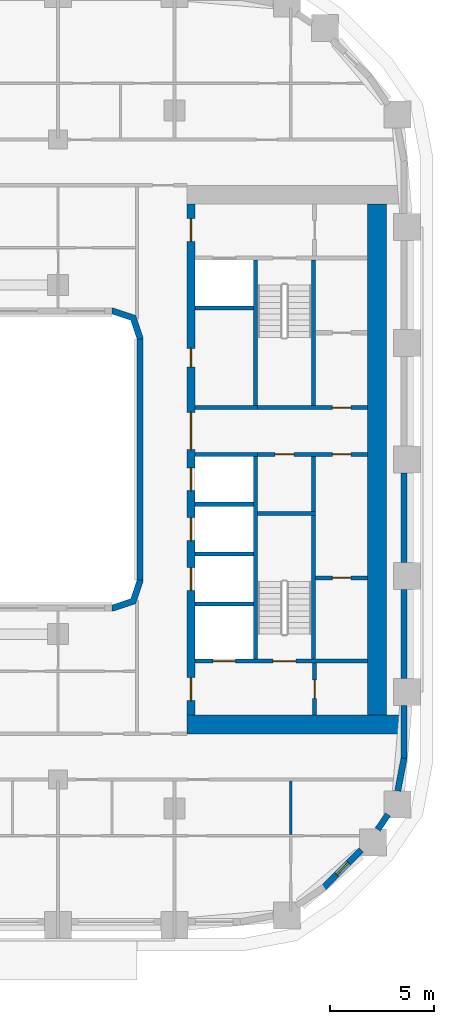
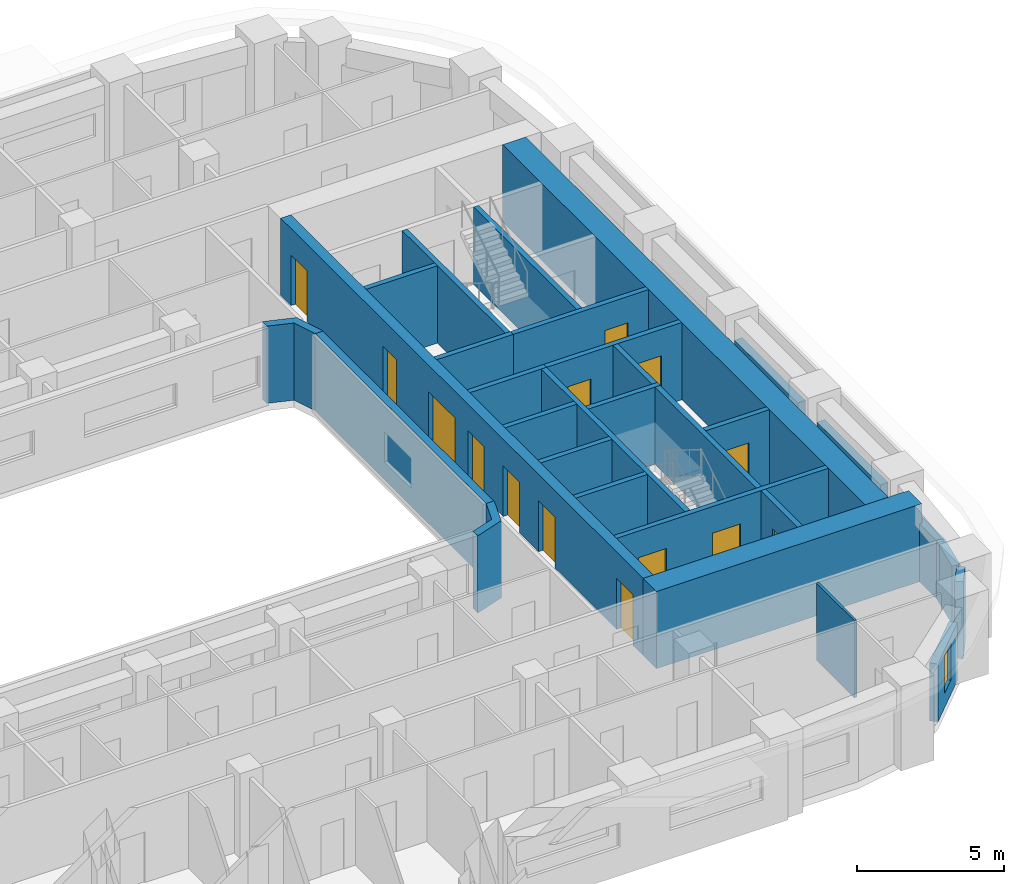
# One storey, part 6 of 21: 30 walls, 14 doors, 1 window, 15 openings.
"""IFC4 building model written with IfcOpenShell, lengths in metres."""

from ifc_helpers import new_model, si_unit, direction, frame, frame_2d, origin, place, context, subcontext, project, spatial, polyline, rectangle, outline, extrude, material, layer, layer_set, type_object, element, fill, save


model = new_model("IFC4")

# Units and contexts
model_context = context("Model", 3, precision=1e-05, world=origin(), true_north=direction((0.0, 1.0)))
body_context = subcontext(model_context, "Body", "Model", "MODEL_VIEW")
ifc_project = project(units=[si_unit("LENGTHUNIT", "METRE"), si_unit("AREAUNIT", "SQUARE_METRE"), si_unit("VOLUMEUNIT", "CUBIC_METRE"), si_unit("PLANEANGLEUNIT", "RADIAN"), si_unit("MASSUNIT", "GRAM", prefix="KILO")], contexts=[model_context])

# Site, building, storey
site_placement = place(None, origin())
site = spatial("IfcSite", under=ifc_project, at=site_placement, CompositionType="ELEMENT")
building_placement = place(site_placement, origin())
building = spatial("IfcBuilding", under=site, at=building_placement, Name="Kiln Ring Residences", CompositionType="ELEMENT")
storey_placement = place(building_placement, frame((0.0, 0.0, 93.800048828125)))
storey = spatial("IfcBuildingStorey", under=building, at=storey_placement, Name="L23", CompositionType="ELEMENT", Elevation=93.800048828125)

# Wall
ifc_material_1 = material(Name="Gypsum board on steel studs", Category="steel")
ifc_layer_1 = layer(ifc_material_1, 0.199951171875)
ifc_layer_set_1 = layer_set([ifc_layer_1], Name="CORE-PARTITION-200")
wall_type_1 = type_object("IfcWallType", Name="CORE-PARTITION-200", PredefinedType="PARTITIONING", material=ifc_layer_set_1)
wall_1_placement = place(storey_placement, frame((23.5, -2.5, 0.0), z_axis=(0.0, 0.0, 1.0), x_axis=(0.0, 1.0, 0.0)))
element("IfcWall", 1, at=wall_1_placement, inside=storey, type_object=wall_type_1, Name="Core partition east L23 1", PredefinedType="PARTITIONING", context=body_context, shape_type="SweptSolid", body=[
    extrude(rectangle(XDim=2.64990234375, YDim=0.199951171875, at=frame_2d((1.324951171875, 0.0))), origin(), (0.0, 0.0, 1.0), 3.199951171875),
])

# Wall, openings, doors
wall_2_placement = place(storey_placement, frame((20.800048828125, 0.25, 0.0), z_axis=(0.0, 0.0, 1.0), x_axis=(1.0, 0.0, 0.0)))
wall_2 = element("IfcWall", 2, at=wall_2_placement, inside=storey, type_object=wall_type_1, Name="Core partition east L23 2", PredefinedType="PARTITIONING", context=body_context, shape_type="SweptSolid", body=[
    extrude(rectangle(XDim=5.300048828125, YDim=0.199951171875, at=frame_2d((2.64990234375, 0.0))), origin(), (0.0, 0.0, 1.0), 3.199951171875),
])
opening_1_placement = place(wall_2_placement, frame((0.85009765625, 0.0, 0.0)))
opening_1 = element("IfcOpeningElement", 3, at=opening_1_placement, cuts=wall_2, Name="Opening L23-CE14", PredefinedType="OPENING", context=body_context, shape_type="SweptSolid", body=[
    extrude(rectangle(XDim=0.89990234375, YDim=2.10009765625, at=frame_2d((0.449951171875, 1.050048828125))), frame((0.0, 0.10986328125, 0.0), z_axis=(0.0, -1.0, 0.0), x_axis=(1.0, 0.0, 0.0)), (0.0, 0.0, 1.0), 0.219970703125),
])
opening_2_placement = place(wall_2_placement, frame((3.60009765625, 0.0, 0.0)))
opening_2 = element("IfcOpeningElement", 4, at=opening_2_placement, cuts=wall_2, Name="Opening L23-CE16", PredefinedType="OPENING", context=body_context, shape_type="SweptSolid", body=[
    extrude(rectangle(XDim=0.89990234375, YDim=2.10009765625, at=frame_2d((0.449951171875, 1.050048828125))), frame((0.0, 0.10986328125, 0.0), z_axis=(0.0, -1.0, 0.0), x_axis=(1.0, 0.0, 0.0)), (0.0, 0.0, 1.0), 0.219970703125),
])
ifc_material_2 = material(Name="Steel door leaf", Category="steel")
door_type_1 = type_object("IfcDoorType", Name="CORE-DOOR-ROOM", OperationType="SINGLE_SWING_LEFT", PredefinedType="DOOR", material=ifc_material_2)
door_1_placement = place(opening_1_placement, origin())
door_1 = element("IfcDoor", 5, at=door_1_placement, inside=storey, type_object=door_type_1, Name="Housekeeping store L23-CE14", OperationType="SINGLE_SWING_LEFT", OverallHeight=2.10009765625, OverallWidth=0.89990234375, PredefinedType="DOOR", context=body_context, shape_type="SweptSolid", body=[
    extrude(rectangle(XDim=0.89990234375, YDim=2.10009765625, at=frame_2d((0.449951171875, 1.050048828125))), frame((0.0, 0.02490234375, 0.0), z_axis=(0.0, -1.0, 0.0), x_axis=(1.0, 0.0, 0.0)), (0.0, 0.0, 1.0), 0.050048828125),
])
fill(opening_1, door_1)
door_2_placement = place(opening_2_placement, origin())
door_2 = element("IfcDoor", 6, at=door_2_placement, inside=storey, type_object=door_type_1, Name="Battery room L23-CE16", OperationType="SINGLE_SWING_LEFT", OverallHeight=2.10009765625, OverallWidth=0.89990234375, PredefinedType="DOOR", context=body_context, shape_type="SweptSolid", body=[
    extrude(rectangle(XDim=0.89990234375, YDim=2.10009765625, at=frame_2d((0.449951171875, 1.050048828125))), frame((0.0, 0.02490234375, 0.0), z_axis=(0.0, -1.0, 0.0), x_axis=(1.0, 0.0, 0.0)), (0.0, 0.0, 1.0), 0.050048828125),
])
fill(opening_2, door_2)

# Wall, opening, door
wall_3_placement = place(storey_placement, frame((23.550048828125, -12.300048828125, 0.0), z_axis=(0.0, 0.0, 1.0), x_axis=(0.0, 1.0, 0.0)))
wall_3 = element("IfcWall", 7, at=wall_3_placement, inside=storey, type_object=wall_type_1, Name="Core partition east L23 4", PredefinedType="PARTITIONING", context=body_context, shape_type="SweptSolid", body=[
    extrude(rectangle(XDim=2.5, YDim=0.199951171875, at=frame_2d((1.25, 0.0))), origin(), (0.0, 0.0, 1.0), 3.199951171875),
])
opening_3_placement = place(wall_3_placement, frame((0.800048828125, 0.0, 0.0)))
opening_3 = element("IfcOpeningElement", 8, at=opening_3_placement, cuts=wall_3, Name="Opening L23-CE10", PredefinedType="OPENING", context=body_context, shape_type="SweptSolid", body=[
    extrude(rectangle(XDim=0.89990234375, YDim=2.10009765625, at=frame_2d((0.449951171875, 1.050048828125))), frame((0.0, 0.10986328125, 0.0), z_axis=(0.0, -1.0, 0.0), x_axis=(1.0, 0.0, 0.0)), (0.0, 0.0, 1.0), 0.219970703125),
])
door_3_placement = place(opening_3_placement, origin())
door_3 = element("IfcDoor", 9, at=door_3_placement, inside=storey, type_object=door_type_1, Name="Store L23-CE10", OperationType="SINGLE_SWING_LEFT", OverallHeight=2.10009765625, OverallWidth=0.89990234375, PredefinedType="DOOR", context=body_context, shape_type="SweptSolid", body=[
    extrude(rectangle(XDim=0.89990234375, YDim=2.10009765625, at=frame_2d((0.449951171875, 1.050048828125))), frame((0.0, 0.02490234375, 0.0), z_axis=(0.0, -1.0, 0.0), x_axis=(1.0, 0.0, 0.0)), (0.0, 0.0, 1.0), 0.050048828125),
])
fill(opening_3, door_3)

wall_4_placement = place(storey_placement, frame((23.60009765625, -5.699951171875, 0.0), z_axis=(0.0, 0.0, 1.0), x_axis=(1.0, 0.0, 0.0)))
wall_4 = element("IfcWall", 10, at=wall_4_placement, inside=storey, type_object=wall_type_1, Name="Core partition east L23 5", PredefinedType="PARTITIONING", context=body_context, shape_type="SweptSolid", body=[
    extrude(rectangle(XDim=2.5, YDim=0.199951171875, at=frame_2d((1.25, 0.0))), origin(), (0.0, 0.0, 1.0), 3.199951171875),
])
opening_4_placement = place(wall_4_placement, frame((0.800048828125, 0.0, 0.0)))
opening_4 = element("IfcOpeningElement", 11, at=opening_4_placement, cuts=wall_4, Name="Opening L23-CE15", PredefinedType="OPENING", context=body_context, shape_type="SweptSolid", body=[
    extrude(rectangle(XDim=0.89990234375, YDim=2.10009765625, at=frame_2d((0.449951171875, 1.050048828125))), frame((0.0, 0.10986328125, 0.0), z_axis=(0.0, -1.0, 0.0), x_axis=(1.0, 0.0, 0.0)), (0.0, 0.0, 1.0), 0.219970703125),
])
door_4_placement = place(opening_4_placement, origin())
door_4 = element("IfcDoor", 12, at=door_4_placement, inside=storey, type_object=door_type_1, Name="Battery room L23-CE15", OperationType="SINGLE_SWING_LEFT", OverallHeight=2.10009765625, OverallWidth=0.89990234375, PredefinedType="DOOR", context=body_context, shape_type="SweptSolid", body=[
    extrude(rectangle(XDim=0.89990234375, YDim=2.10009765625, at=frame_2d((0.449951171875, 1.050048828125))), frame((0.0, 0.02490234375, 0.0), z_axis=(0.0, -1.0, 0.0), x_axis=(1.0, 0.0, 0.0)), (0.0, 0.0, 1.0), 0.050048828125),
])
fill(opening_4, door_4)

# Walls
ifc_material_3 = material(Name="Gypsum shaft wall system")
ifc_layer_2 = layer(ifc_material_3, 0.199951171875)
ifc_layer_set_2 = layer_set([ifc_layer_2], Name="CORE-SHAFT-WALL-200")
wall_type_2 = type_object("IfcWallType", Name="CORE-SHAFT-WALL-200", PredefinedType="PARTITIONING", material=ifc_layer_set_2)
for number, where, z_axis, x_axis, name in (
    (13, (17.800048828125, -6.949951171875, 0.0), (0.0, 0.0, 1.0), (1.0, 0.0, 0.0), "Core partition east L23 7"),
    (14, (17.800048828125, -4.550048828125, 0.0), (0.0, 0.0, 1.0), (1.0, 0.0, 0.0), "Core partition east L23 8"),
    (15, (17.800048828125, -2.14990234375, 0.0), (0.0, 0.0, 1.0), (1.0, 0.0, 0.0), "Core partition east L23 9"),
):
    element("IfcWall", number, at=place(storey_placement, frame(where, z_axis=z_axis, x_axis=x_axis)), inside=storey, type_object=wall_type_2, Name=name, PredefinedType="PARTITIONING", context=body_context, shape_type="SweptSolid", body=[
        extrude(rectangle(XDim=2.800048828125, YDim=0.199951171875, at=frame_2d((1.39990234375, 0.0))), origin(), (0.0, 0.0, 1.0), 3.199951171875),
    ])
for number, where, z_axis, x_axis, name in (
    (16, (17.800048828125, 0.25, 0.0), (0.0, 0.0, 1.0), (1.0, 0.0, 0.0), "Core partition east L23 10"),
    (17, (17.800048828125, 2.5, 0.0), (0.0, 0.0, 1.0), (1.0, 0.0, 0.0), "Core partition east L23 11"),
):
    element("IfcWall", number, at=place(storey_placement, frame(where, z_axis=z_axis, x_axis=x_axis)), inside=storey, type_object=wall_type_2, Name=name, PredefinedType="PARTITIONING", context=body_context, shape_type="SweptSolid", body=[
        extrude(rectangle(XDim=3.0, YDim=0.199951171875, at=frame_2d((1.5, 0.0))), origin(), (0.0, 0.0, 1.0), 3.199951171875),
    ])
wall_5_placement = place(storey_placement, frame((17.800048828125, 7.300048828125, 0.0), z_axis=(0.0, 0.0, 1.0), x_axis=(1.0, 0.0, 0.0)))
element("IfcWall", 18, at=wall_5_placement, inside=storey, type_object=wall_type_2, Name="Core partition east L23 12", PredefinedType="PARTITIONING", context=body_context, shape_type="SweptSolid", body=[
    extrude(rectangle(XDim=2.800048828125, YDim=0.199951171875, at=frame_2d((1.39990234375, 0.0))), origin(), (0.0, 0.0, 1.0), 3.199951171875),
])
ifc_material_4 = material(Name="Concrete C40/50", Category="concrete")
ifc_layer_3 = layer(ifc_material_4, 0.199951171875)
ifc_layer_set_3 = layer_set([ifc_layer_3], Name="CORE-WALL-RC200")
wall_type_3 = type_object("IfcWallType", Name="CORE-WALL-RC200", PredefinedType="SHEAR", material=ifc_layer_set_3)
wall_6_placement = place(storey_placement, frame((20.699951171875, 2.60009765625, 0.0), z_axis=(0.0, 0.0, 1.0), x_axis=(0.0, 1.0, 0.0)))
element("IfcWall", 19, at=wall_6_placement, inside=storey, type_object=wall_type_3, Name="Core wall east L23 1", PredefinedType="SHEAR", context=body_context, shape_type="SweptSolid", body=[
    extrude(rectangle(XDim=7.0, YDim=0.199951171875, at=frame_2d((3.5, 0.0))), origin(), (0.0, 0.0, 1.0), 3.199951171875),
])
wall_7_placement = place(storey_placement, frame((20.699951171875, -9.60009765625, 0.0), z_axis=(0.0, 0.0, 1.0), x_axis=(0.0, 1.0, 0.0)))
element("IfcWall", 20, at=wall_7_placement, inside=storey, type_object=wall_type_3, Name="Core wall east L23 2", PredefinedType="SHEAR", context=body_context, shape_type="SweptSolid", body=[
    extrude(rectangle(XDim=9.75, YDim=0.199951171875, at=frame_2d((4.875, 0.0))), origin(), (0.0, 0.0, 1.0), 3.199951171875),
])

# Wall, opening, door
wall_8_placement = place(storey_placement, frame((20.800048828125, 2.5, 0.0), z_axis=(0.0, 0.0, 1.0), x_axis=(1.0, 0.0, 0.0)))
wall_8 = element("IfcWall", 21, at=wall_8_placement, inside=storey, type_object=wall_type_3, Name="Core wall east L23 3", PredefinedType="SHEAR", context=body_context, shape_type="SweptSolid", body=[
    extrude(rectangle(XDim=5.300048828125, YDim=0.199951171875, at=frame_2d((2.64990234375, 0.0))), origin(), (0.0, 0.0, 1.0), 3.199951171875),
])
opening_5_placement = place(wall_8_placement, frame((3.60009765625, 0.0, 0.0)))
opening_5 = element("IfcOpeningElement", 22, at=opening_5_placement, cuts=wall_8, Name="Opening L23-CE18", PredefinedType="OPENING", context=body_context, shape_type="SweptSolid", body=[
    extrude(rectangle(XDim=0.89990234375, YDim=2.10009765625, at=frame_2d((0.449951171875, 1.050048828125))), frame((0.0, 0.10986328125, 0.0), z_axis=(0.0, -1.0, 0.0), x_axis=(1.0, 0.0, 0.0)), (0.0, 0.0, 1.0), 0.219970703125),
])
door_5_placement = place(opening_5_placement, origin())
door_5 = element("IfcDoor", 23, at=door_5_placement, inside=storey, type_object=door_type_1, Name="Comms room L23-CE18", OperationType="SINGLE_SWING_RIGHT", OverallHeight=2.10009765625, OverallWidth=0.89990234375, PredefinedType="DOOR", context=body_context, shape_type="SweptSolid", body=[
    extrude(rectangle(XDim=0.89990234375, YDim=2.10009765625, at=frame_2d((0.449951171875, 1.050048828125))), frame((0.0, 0.02490234375, 0.0), z_axis=(0.0, -1.0, 0.0), x_axis=(1.0, 0.0, 0.0)), (0.0, 0.0, 1.0), 0.050048828125),
])
fill(opening_5, door_5)

# Wall, openings, doors
wall_9_placement = place(storey_placement, frame((17.800048828125, -9.699951171875, 0.0), z_axis=(0.0, 0.0, 1.0), x_axis=(1.0, 0.0, 0.0)))
wall_9 = element("IfcWall", 24, at=wall_9_placement, inside=storey, type_object=wall_type_3, Name="Core wall east L23 8", PredefinedType="SHEAR", context=body_context, shape_type="SweptSolid", body=[
    extrude(rectangle(XDim=8.300048828125, YDim=0.199951171875, at=frame_2d((4.14990234375, 0.0))), origin(), (0.0, 0.0, 1.0), 3.199951171875),
])
opening_6_placement = place(wall_9_placement, frame((0.85009765625, 0.0, 0.0)))
opening_6 = element("IfcOpeningElement", 25, at=opening_6_placement, cuts=wall_9, Name="Opening L23-CE01", PredefinedType="OPENING", context=body_context, shape_type="SweptSolid", body=[
    extrude(rectangle(XDim=1.10009765625, YDim=2.10009765625, at=frame_2d((0.550048828125, 1.050048828125))), frame((0.0, 0.10986328125, 0.0), z_axis=(0.0, -1.0, 0.0), x_axis=(1.0, 0.0, 0.0)), (0.0, 0.0, 1.0), 0.219970703125),
])
opening_7_placement = place(wall_9_placement, frame((3.75, 0.0, 0.0)))
opening_7 = element("IfcOpeningElement", 26, at=opening_7_placement, cuts=wall_9, Name="Opening L23-CE12", PredefinedType="OPENING", context=body_context, shape_type="SweptSolid", body=[
    extrude(rectangle(XDim=1.10009765625, YDim=2.10009765625, at=frame_2d((0.550048828125, 1.050048828125))), frame((0.0, 0.10986328125, 0.0), z_axis=(0.0, -1.0, 0.0), x_axis=(1.0, 0.0, 0.0)), (0.0, 0.0, 1.0), 0.219970703125),
])
ifc_material_5 = material(Name="Steel door leaf", Category="steel")
door_type_2 = type_object("IfcDoorType", Name="CORE-DOOR-LD", OperationType="DOUBLE_DOOR_SLIDING", PredefinedType="DOOR", material=ifc_material_5)
door_6_placement = place(opening_6_placement, origin())
door_6 = element("IfcDoor", 27, at=door_6_placement, inside=storey, type_object=door_type_2, Name="LD E-SV L23-CE01", OperationType="DOUBLE_DOOR_SLIDING", OverallHeight=2.10009765625, OverallWidth=1.10009765625, PredefinedType="DOOR", context=body_context, shape_type="SweptSolid", body=[
    extrude(rectangle(XDim=1.10009765625, YDim=2.10009765625, at=frame_2d((0.550048828125, 1.050048828125))), frame((0.0, 0.02490234375, 0.0), z_axis=(0.0, -1.0, 0.0), x_axis=(1.0, 0.0, 0.0)), (0.0, 0.0, 1.0), 0.050048828125),
])
fill(opening_6, door_6)
ifc_material_6 = material(Name="Steel door leaf", Category="steel")
door_type_3 = type_object("IfcDoorType", Name="CORE-DOOR-STAIR", OperationType="SINGLE_SWING_LEFT", PredefinedType="DOOR", material=ifc_material_6)
door_7_placement = place(opening_7_placement, origin())
door_7 = element("IfcDoor", 28, at=door_7_placement, inside=storey, type_object=door_type_3, Name="Stair E-STS L23-CE12", OperationType="SINGLE_SWING_RIGHT", OverallHeight=2.10009765625, OverallWidth=1.10009765625, PredefinedType="DOOR", context=body_context, shape_type="SweptSolid", body=[
    extrude(rectangle(XDim=1.10009765625, YDim=2.10009765625, at=frame_2d((0.550048828125, 1.050048828125))), frame((0.0, 0.02490234375, 0.0), z_axis=(0.0, -1.0, 0.0), x_axis=(1.0, 0.0, 0.0)), (0.0, 0.0, 1.0), 0.050048828125),
])
fill(opening_7, door_7)

# Walls
wall_10_placement = place(storey_placement, frame((23.5, 2.60009765625, 0.0), z_axis=(0.0, 0.0, 1.0), x_axis=(0.0, 1.0, 0.0)))
element("IfcWall", 29, at=wall_10_placement, inside=storey, type_object=wall_type_3, Name="Core wall east L23 10", PredefinedType="SHEAR", context=body_context, shape_type="SweptSolid", body=[
    extrude(rectangle(XDim=7.0, YDim=0.199951171875, at=frame_2d((3.5, 0.0))), origin(), (0.0, 0.0, 1.0), 3.199951171875),
])
wall_11_placement = place(storey_placement, frame((23.5, -9.60009765625, 0.0), z_axis=(0.0, 0.0, 1.0), x_axis=(0.0, 1.0, 0.0)))
element("IfcWall", 30, at=wall_11_placement, inside=storey, type_object=wall_type_3, Name="Core wall east L23 11", PredefinedType="SHEAR", context=body_context, shape_type="SweptSolid", body=[
    extrude(rectangle(XDim=6.900146484375, YDim=0.199951171875, at=frame_2d((3.4501953125, 0.0))), origin(), (0.0, 0.0, 1.0), 3.199951171875),
])
wall_12_placement = place(storey_placement, frame((20.800048828125, -2.60009765625, 0.0), z_axis=(0.0, 0.0, 1.0), x_axis=(1.0, 0.0, 0.0)))
element("IfcWall", 31, at=wall_12_placement, inside=storey, type_object=wall_type_3, Name="Core wall east L23 12", PredefinedType="SHEAR", context=body_context, shape_type="SweptSolid", body=[
    extrude(rectangle(XDim=2.800048828125, YDim=0.199951171875, at=frame_2d((1.39990234375, 0.0))), origin(), (0.0, 0.0, 1.0), 3.199951171875),
])

# Wall, openings, doors
ifc_material_7 = material(Name="Concrete C60/75", Category="concrete")
ifc_layer_4 = layer(ifc_material_7, 0.39990234375)
ifc_layer_set_4 = layer_set([ifc_layer_4], Name="CORE-WALL-RC400")
wall_type_4 = type_object("IfcWallType", Name="CORE-WALL-RC400", PredefinedType="SHEAR", material=ifc_layer_set_4)
wall_13_placement = place(storey_placement, frame((17.60009765625, -12.300048828125, 0.0), z_axis=(0.0, 0.0, 1.0), x_axis=(0.0, 1.0, 0.0)))
wall_13 = element("IfcWall", 32, at=wall_13_placement, inside=storey, type_object=wall_type_4, Name="Core wall east L23 6", PredefinedType="SHEAR", context=body_context, shape_type="SweptSolid", body=[
    extrude(rectangle(XDim=24.60009765625, YDim=0.39990234375, at=frame_2d((12.300048828125, 0.0))), origin(), (0.0, 0.0, 1.0), 3.199951171875),
])
opening_8_placement = place(wall_13_placement, frame((6.0, 0.0, 0.0)))
opening_8 = element("IfcOpeningElement", 33, at=opening_8_placement, cuts=wall_13, Name="Opening L23-CE02", PredefinedType="OPENING", context=body_context, shape_type="SweptSolid", body=[
    extrude(rectangle(XDim=1.10009765625, YDim=2.10009765625, at=frame_2d((0.550048828125, 1.050048828125))), frame((0.0, 0.2099609375, 0.0), z_axis=(0.0, -1.0, 0.0), x_axis=(1.0, 0.0, 0.0)), (0.0, 0.0, 1.0), 0.419921875),
])
opening_9_placement = place(wall_13_placement, frame((8.39990234375, 0.0, 0.0)))
opening_9 = element("IfcOpeningElement", 34, at=opening_9_placement, cuts=wall_13, Name="Opening L23-CE03", PredefinedType="OPENING", context=body_context, shape_type="SweptSolid", body=[
    extrude(rectangle(XDim=1.10009765625, YDim=2.10009765625, at=frame_2d((0.550048828125, 1.050048828125))), frame((0.0, 0.2099609375, 0.0), z_axis=(0.0, -1.0, 0.0), x_axis=(1.0, 0.0, 0.0)), (0.0, 0.0, 1.0), 0.419921875),
])
opening_10_placement = place(wall_13_placement, frame((10.800048828125, 0.0, 0.0)))
opening_10 = element("IfcOpeningElement", 35, at=opening_10_placement, cuts=wall_13, Name="Opening L23-CE04", PredefinedType="OPENING", context=body_context, shape_type="SweptSolid", body=[
    extrude(rectangle(XDim=1.10009765625, YDim=2.10009765625, at=frame_2d((0.550048828125, 1.050048828125))), frame((0.0, 0.2099609375, 0.0), z_axis=(0.0, -1.0, 0.0), x_axis=(1.0, 0.0, 0.0)), (0.0, 0.0, 1.0), 0.419921875),
])
opening_11_placement = place(wall_13_placement, frame((16.75, 0.0, 0.0)))
opening_11 = element("IfcOpeningElement", 36, at=opening_11_placement, cuts=wall_13, Name="Opening L23-CE05", PredefinedType="OPENING", context=body_context, shape_type="SweptSolid", body=[
    extrude(rectangle(XDim=0.89990234375, YDim=2.10009765625, at=frame_2d((0.449951171875, 1.050048828125))), frame((0.0, 0.2099609375, 0.0), z_axis=(0.0, -1.0, 0.0), x_axis=(1.0, 0.0, 0.0)), (0.0, 0.0, 1.0), 0.419921875),
])
opening_12_placement = place(wall_13_placement, frame((22.800048828125, 0.0, 0.0)))
opening_12 = element("IfcOpeningElement", 37, at=opening_12_placement, cuts=wall_13, Name="Opening L23-CE07", PredefinedType="OPENING", context=body_context, shape_type="SweptSolid", body=[
    extrude(rectangle(XDim=1.10009765625, YDim=2.10009765625, at=frame_2d((0.550048828125, 1.050048828125))), frame((0.0, 0.2099609375, 0.0), z_axis=(0.0, -1.0, 0.0), x_axis=(1.0, 0.0, 0.0)), (0.0, 0.0, 1.0), 0.419921875),
])
opening_13_placement = place(wall_13_placement, frame((0.699951171875, 0.0, 0.0)))
opening_13 = element("IfcOpeningElement", 38, at=opening_13_placement, cuts=wall_13, Name="Opening L23-CE08", PredefinedType="OPENING", context=body_context, shape_type="SweptSolid", body=[
    extrude(rectangle(XDim=1.10009765625, YDim=2.10009765625, at=frame_2d((0.550048828125, 1.050048828125))), frame((0.0, 0.2099609375, 0.0), z_axis=(0.0, -1.0, 0.0), x_axis=(1.0, 0.0, 0.0)), (0.0, 0.0, 1.0), 0.419921875),
])
opening_14_placement = place(wall_13_placement, frame((12.77490234375, 0.0, 0.0)))
opening_14 = element("IfcOpeningElement", 39, at=opening_14_placement, cuts=wall_13, Name="Opening L23-CE13", PredefinedType="OPENING", context=body_context, shape_type="SweptSolid", body=[
    extrude(rectangle(XDim=1.800048828125, YDim=2.10009765625, at=frame_2d((0.89990234375, 1.050048828125))), frame((0.0, 0.2099609375, 0.0), z_axis=(0.0, -1.0, 0.0), x_axis=(1.0, 0.0, 0.0)), (0.0, 0.0, 1.0), 0.419921875),
])
door_8_placement = place(opening_8_placement, origin())
door_8 = element("IfcDoor", 40, at=door_8_placement, inside=storey, type_object=door_type_2, Name="LD E-L1 L23-CE02", OperationType="DOUBLE_DOOR_SLIDING", OverallHeight=2.10009765625, OverallWidth=1.10009765625, PredefinedType="DOOR", context=body_context, shape_type="SweptSolid", body=[
    extrude(rectangle(XDim=1.10009765625, YDim=2.10009765625, at=frame_2d((0.550048828125, 1.050048828125))), frame((0.0, 0.02490234375, 0.0), z_axis=(0.0, -1.0, 0.0), x_axis=(1.0, 0.0, 0.0)), (0.0, 0.0, 1.0), 0.050048828125),
])
fill(opening_8, door_8)
door_9_placement = place(opening_9_placement, origin())
door_9 = element("IfcDoor", 41, at=door_9_placement, inside=storey, type_object=door_type_2, Name="LD E-L2 L23-CE03", OperationType="DOUBLE_DOOR_SLIDING", OverallHeight=2.10009765625, OverallWidth=1.10009765625, PredefinedType="DOOR", context=body_context, shape_type="SweptSolid", body=[
    extrude(rectangle(XDim=1.10009765625, YDim=2.10009765625, at=frame_2d((0.550048828125, 1.050048828125))), frame((0.0, 0.02490234375, 0.0), z_axis=(0.0, -1.0, 0.0), x_axis=(1.0, 0.0, 0.0)), (0.0, 0.0, 1.0), 0.050048828125),
])
fill(opening_9, door_9)
door_10_placement = place(opening_10_placement, origin())
door_10 = element("IfcDoor", 42, at=door_10_placement, inside=storey, type_object=door_type_2, Name="LD E-L3 L23-CE04", OperationType="DOUBLE_DOOR_SLIDING", OverallHeight=2.10009765625, OverallWidth=1.10009765625, PredefinedType="DOOR", context=body_context, shape_type="SweptSolid", body=[
    extrude(rectangle(XDim=1.10009765625, YDim=2.10009765625, at=frame_2d((0.550048828125, 1.050048828125))), frame((0.0, 0.02490234375, 0.0), z_axis=(0.0, -1.0, 0.0), x_axis=(1.0, 0.0, 0.0)), (0.0, 0.0, 1.0), 0.050048828125),
])
fill(opening_10, door_10)
ifc_material_8 = material(Name="Steel door leaf", Category="steel")
door_type_4 = type_object("IfcDoorType", Name="CORE-DOOR-LOBBY", OperationType="SINGLE_SWING_LEFT", PredefinedType="DOOR", material=ifc_material_8)
door_11_placement = place(opening_12_placement, origin())
door_11 = element("IfcDoor", 43, at=door_11_placement, inside=storey, type_object=door_type_4, Name="FFL L23-CE07", OperationType="SINGLE_SWING_LEFT", OverallHeight=2.10009765625, OverallWidth=1.10009765625, PredefinedType="DOOR", context=body_context, shape_type="SweptSolid", body=[
    extrude(rectangle(XDim=1.10009765625, YDim=2.10009765625, at=frame_2d((0.550048828125, 1.050048828125))), frame((0.0, 0.02490234375, 0.0), z_axis=(0.0, -1.0, 0.0), x_axis=(1.0, 0.0, 0.0)), (0.0, 0.0, 1.0), 0.050048828125),
])
fill(opening_12, door_11)
door_12_placement = place(opening_13_placement, origin())
door_12 = element("IfcDoor", 44, at=door_12_placement, inside=storey, type_object=door_type_4, Name="SVL L23-CE08", OperationType="SINGLE_SWING_RIGHT", OverallHeight=2.10009765625, OverallWidth=1.10009765625, PredefinedType="DOOR", context=body_context, shape_type="SweptSolid", body=[
    extrude(rectangle(XDim=1.10009765625, YDim=2.10009765625, at=frame_2d((0.550048828125, 1.050048828125))), frame((0.0, 0.02490234375, 0.0), z_axis=(0.0, -1.0, 0.0), x_axis=(1.0, 0.0, 0.0)), (0.0, 0.0, 1.0), 0.050048828125),
])
fill(opening_13, door_12)
ifc_material_9 = material(Name="Steel door leaf", Category="steel")
door_type_5 = type_object("IfcDoorType", Name="CORE-DOOR-PASS", OperationType="DOUBLE_DOOR_SINGLE_SWING", PredefinedType="DOOR", material=ifc_material_9)
door_13_placement = place(opening_14_placement, origin())
door_13 = element("IfcDoor", 45, at=door_13_placement, inside=storey, type_object=door_type_5, Name="Core passage L23-CE13", OperationType="DOUBLE_DOOR_SINGLE_SWING", OverallHeight=2.10009765625, OverallWidth=1.800048828125, PredefinedType="DOOR", context=body_context, shape_type="SweptSolid", body=[
    extrude(rectangle(XDim=1.800048828125, YDim=2.10009765625, at=frame_2d((0.89990234375, 1.050048828125))), frame((0.0, 0.02490234375, 0.0), z_axis=(0.0, -1.0, 0.0), x_axis=(1.0, 0.0, 0.0)), (0.0, 0.0, 1.0), 0.050048828125),
])
fill(opening_14, door_13)
door_14_placement = place(opening_11_placement, origin())
door_14 = element("IfcDoor", 46, at=door_14_placement, inside=storey, type_object=door_type_1, Name="Locker store L23-CE05", OperationType="SINGLE_SWING_RIGHT", OverallHeight=2.10009765625, OverallWidth=0.89990234375, PredefinedType="DOOR", context=body_context, shape_type="SweptSolid", body=[
    extrude(rectangle(XDim=0.89990234375, YDim=2.10009765625, at=frame_2d((0.449951171875, 1.050048828125))), frame((0.0, 0.02490234375, 0.0), z_axis=(0.0, -1.0, 0.0), x_axis=(1.0, 0.0, 0.0)), (0.0, 0.0, 1.0), 0.050048828125),
])
fill(opening_11, door_14)

# Walls
ifc_material_10 = material(Name="Concrete C60/75", Category="concrete")
ifc_layer_5 = layer(ifc_material_10, 0.89990234375)
ifc_layer_set_5 = layer_set([ifc_layer_5], Name="CORE-WALL-RC900")
wall_type_5 = type_object("IfcWallType", Name="CORE-WALL-RC900", PredefinedType="SHEAR", material=ifc_layer_set_5)
wall_14_placement = place(storey_placement, frame((17.39990234375, -12.75, 0.0), z_axis=(0.0, 0.0, 1.0), x_axis=(1.0, 0.0, 0.0)))
element("IfcWall", 47, at=wall_14_placement, inside=storey, type_object=wall_type_5, Name="Core wall east L23 5", PredefinedType="SHEAR", context=body_context, shape_type="SweptSolid", body=[
    extrude(rectangle(XDim=10.400146484375, YDim=0.89990234375, at=frame_2d((5.2001953125, 0.0))), origin(), (0.0, 0.0, 1.0), 3.199951171875),
])
wall_15_placement = place(storey_placement, frame((26.550048828125, -12.300048828125, 0.0), z_axis=(0.0, 0.0, 1.0), x_axis=(0.0, 1.0, 0.0)))
element("IfcWall", 48, at=wall_15_placement, inside=storey, type_object=wall_type_5, Name="Core wall east L23 7", PredefinedType="SHEAR", context=body_context, shape_type="SweptSolid", body=[
    extrude(rectangle(XDim=24.60009765625, YDim=0.89990234375, at=frame_2d((12.300048828125, 0.0))), origin(), (0.0, 0.0, 1.0), 3.199951171875),
])

# Wall, opening, window
ifc_material_11 = material(Name="Brick masonry, dark clay brick", Category="masonry")
ifc_layer_6 = layer(ifc_material_11, 0.300048828125)
ifc_layer_set_6 = layer_set([ifc_layer_6], Name="EW-300 BRICK WALL")
wall_type_6 = type_object("IfcWallType", Name="EW-300 BRICK WALL", PredefinedType="SOLIDWALL", material=ifc_layer_set_6)
wall_16_placement = place(storey_placement, frame((23.990966796875, -20.596923828125, 0.0), z_axis=(0.0, 0.0, 1.0), x_axis=(0.707106781187, 0.707106781187, 0.0)))
wall_16 = element("IfcWall", 49, at=wall_16_placement, inside=storey, type_object=wall_type_6, Name="Facade wall L23 14", PredefinedType="SOLIDWALL", context=body_context, shape_type="SweptSolid", body=[
    extrude(rectangle(XDim=2.550048828125, YDim=0.300048828125, at=frame_2d((1.27490234375, 0.0))), origin(), (0.0, 0.0, 1.0), 2.39990234375),
])
opening_15_placement = place(wall_16_placement, frame((0.875, 0.0, 0.60009765625)))
opening_15 = element("IfcOpeningElement", 50, at=opening_15_placement, cuts=wall_16, Name="Opening W5", PredefinedType="OPENING", context=body_context, shape_type="SweptSolid", body=[
    extrude(rectangle(XDim=0.800048828125, YDim=1.550048828125, at=frame_2d((0.39990234375, 0.77490234375))), frame((0.0, 0.159912109375, 0.0), z_axis=(0.0, -1.0, 0.0), x_axis=(1.0, 0.0, 0.0)), (0.0, 0.0, 1.0), 0.320068359375),
])
ifc_material_12 = material(Name="Aluminium frame with double glazing", Category="aluminium")
window_type = type_object("IfcWindowType", Name="WINDOW 800 x 1550", PartitioningType="SINGLE_PANEL", PredefinedType="WINDOW", material=ifc_material_12)
window_placement = place(opening_15_placement, origin())
window = element("IfcWindow", 51, at=window_placement, inside=storey, type_object=window_type, Name="Window L23 11", OverallHeight=1.550048828125, OverallWidth=0.800048828125, PartitioningType="SINGLE_PANEL", PredefinedType="WINDOW", context=body_context, shape_type="SweptSolid", body=[
    extrude(rectangle(XDim=0.800048828125, YDim=1.550048828125, at=frame_2d((0.39990234375, 0.77490234375))), frame((0.0, 0.030029296875, 0.0), z_axis=(0.0, -1.0, 0.0), x_axis=(1.0, 0.0, 0.0)), (0.0, 0.0, 1.0), 0.06005859375),
])
fill(opening_15, window)

# Walls
wall_17_placement = place(storey_placement, frame((26.588623046875, -17.809814453125, 0.0), z_axis=(0.0, 0.0, 1.0), x_axis=(0.562066330934, 0.827092159091, 0.0)))
element("IfcWall", 52, at=wall_17_placement, inside=storey, type_object=wall_type_6, Name="Facade wall L23 15", PredefinedType="SOLIDWALL", context=body_context, shape_type="SweptSolid", body=[
    extrude(rectangle(XDim=0.876953125, YDim=0.300048828125, at=frame_2d((0.4384765625, 0.0))), origin(), (0.0, 0.0, 1.0), 3.199951171875),
])
wall_18_placement = place(storey_placement, frame((27.5517578125, -15.949462890625, 0.0), z_axis=(0.0, 0.0, 1.0), x_axis=(0.187279751651, 0.982306619453, 0.0)))
element("IfcWall", 53, at=wall_18_placement, inside=storey, type_object=wall_type_6, Name="Facade wall L23 16", PredefinedType="SOLIDWALL", context=body_context, shape_type="SweptSolid", body=[
    extrude(rectangle(XDim=1.60595703125, YDim=0.300048828125, at=frame_2d((0.802978515625, 0.0))), origin(), (0.0, 0.0, 1.0), 2.39990234375),
])
wall_19_placement = place(storey_placement, frame((27.85009765625, -14.39990234375, 0.0), z_axis=(0.0, 0.0, 1.0), x_axis=(0.0, 1.0, 0.0)))
element("IfcWall", 54, at=wall_19_placement, inside=storey, type_object=wall_type_6, Name="Facade wall L23 17", PredefinedType="SOLIDWALL", context=body_context, shape_type="SweptSolid", body=[
    extrude(rectangle(XDim=2.5498046875, YDim=0.300048828125, at=frame_2d((1.27490234375, 0.0))), origin(), (0.0, 0.0, 1.0), 2.39990234375),
])
for number, where, z_axis, x_axis, name in (
    (55, (27.85009765625, -10.550048828125, 0.0), (0.0, 0.0, 1.0), (0.0, 1.0, 0.0), "Facade wall L23 18"),
    (56, (27.85009765625, -4.949951171875, 0.0), (0.0, 0.0, 1.0), (0.0, 1.0, 0.0), "Facade wall L23 19"),
):
    element("IfcWall", number, at=place(storey_placement, frame(where, z_axis=z_axis, x_axis=x_axis)), inside=storey, type_object=wall_type_6, Name=name, PredefinedType="SOLIDWALL", context=body_context, shape_type="SweptSolid", body=[
        extrude(rectangle(XDim=4.300048828125, YDim=0.300048828125, at=frame_2d((2.14990234375, 0.0))), origin(), (0.0, 0.0, 1.0), 2.39990234375),
    ])
wall_20_placement = place(storey_placement, frame((15.14990234375, 5.800048828125, 0.0), z_axis=(0.0, 0.0, 1.0), x_axis=(0.0, -1.0, 0.0)))
element("IfcWall", 57, at=wall_20_placement, inside=storey, type_object=wall_type_6, Name="Facade wall L23 51", PredefinedType="SOLIDWALL", context=body_context, shape_type="SweptSolid", body=[
    extrude(rectangle(XDim=11.60009765625, YDim=0.300048828125, at=frame_2d((5.800048828125, 0.0))), origin(), (0.0, 0.0, 1.0), 3.199951171875),
])
placement = place(storey_placement, origin())
element("IfcWall", 58, at=placement, inside=storey, type_object=wall_type_6, Name="Corner wall L23 2", PredefinedType="SOLIDWALL", context=body_context, shape_type="SweptSolid", body=[
    extrude(outline(polyline([(14.937255859375, 6.937255859375), (13.8486328125, 7.300048828125), (13.800048828125, 7.300048828125), (13.800048828125, 7.0), (14.699951171875, 6.699951171875), (15.0, 5.800048828125), (15.300048828125, 5.800048828125), (15.300048828125, 5.8486328125), (14.937255859375, 6.937255859375)])), origin(), (0.0, 0.0, 1.0), 3.199951171875),
])
element("IfcWall", 59, at=placement, inside=storey, type_object=wall_type_6, Name="Corner wall L23 3", PredefinedType="SOLIDWALL", context=body_context, shape_type="SweptSolid", body=[
    extrude(outline(polyline([(14.937255859375, -6.937255859375), (15.300048828125, -5.8486328125), (15.300048828125, -5.800048828125), (15.0, -5.800048828125), (14.699951171875, -6.699951171875), (13.800048828125, -7.0), (13.800048828125, -7.300048828125), (13.8486328125, -7.300048828125), (14.937255859375, -6.937255859375)])), origin(), (0.0, 0.0, 1.0), 3.199951171875),
])
ifc_material_13 = material(Name="Gypsum board on steel studs", Category="steel")
ifc_layer_7 = layer(ifc_material_13, 0.10009765625)
ifc_layer_set_7 = layer_set([ifc_layer_7], Name="PARTITION-100")
wall_type_7 = type_object("IfcWallType", Name="PARTITION-100", PredefinedType="PARTITIONING", material=ifc_layer_set_7)
wall_23_placement = place(storey_placement, frame((22.39990234375, -18.050048828125, 0.0), z_axis=(0.0, 0.0, 1.0), x_axis=(0.0, 1.0, 0.0)))
element("IfcWall", 60, at=wall_23_placement, inside=storey, type_object=wall_type_7, Name="Partition 077", PredefinedType="PARTITIONING", context=body_context, shape_type="SweptSolid", body=[
    extrude(rectangle(XDim=2.574951171875, YDim=0.10009765625, at=frame_2d((1.28759765625, 0.0))), origin(), (0.0, 0.0, 1.0), 3.199951171875),
])

save(model, "model.ifc")
